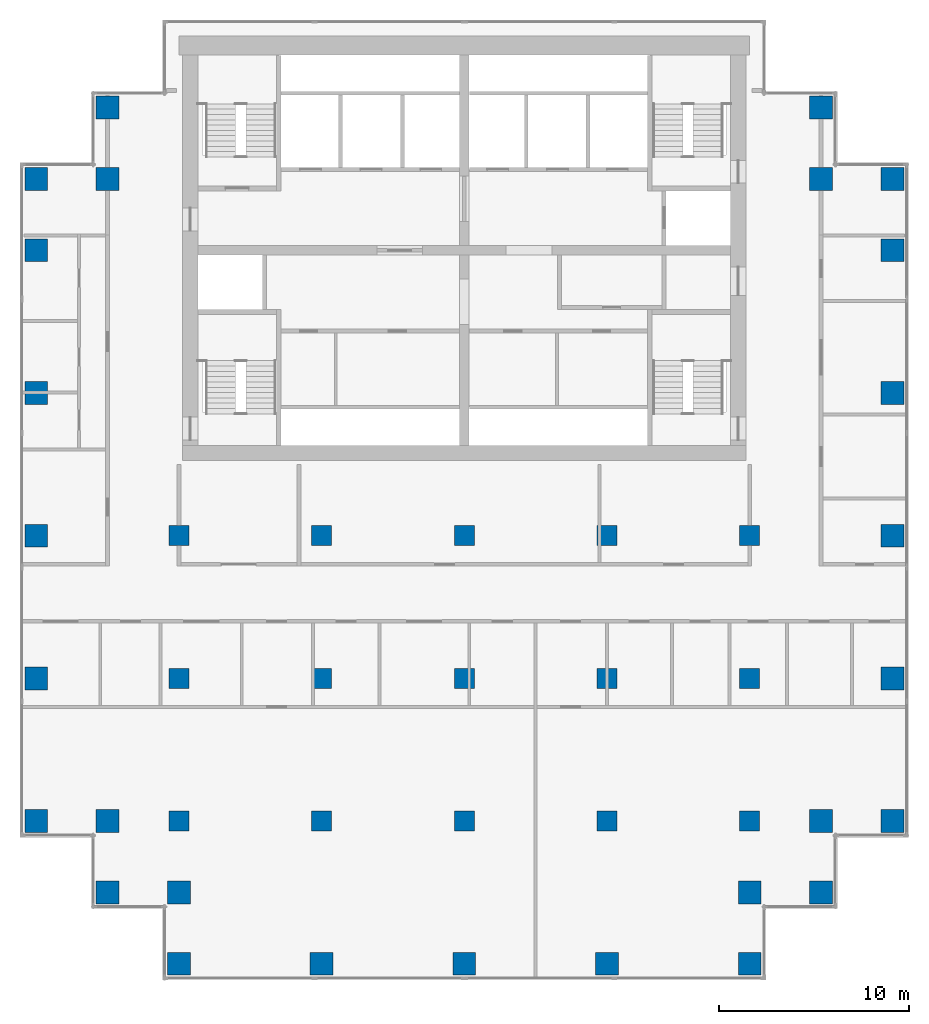
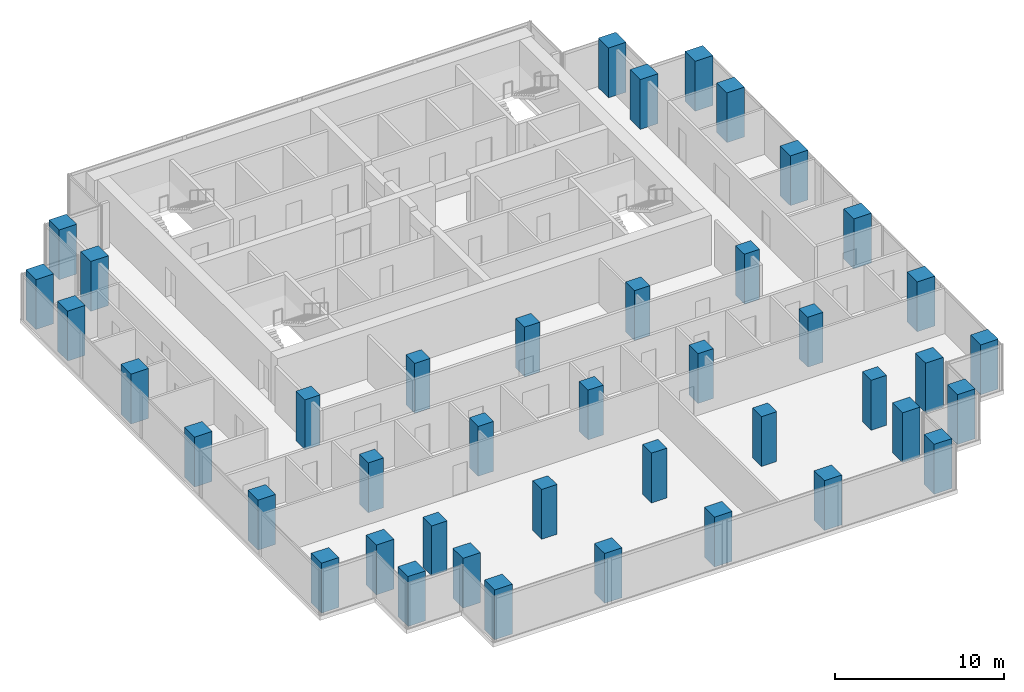
# One storey, part 1 of 10: 42 columns.
"""IFC4 building model written with IfcOpenShell, lengths in metres."""

import ifcopenshell
import ifcopenshell.guid

model = None  # the IFC model being written
_history = None  # IfcOwnerHistory: only IFC2X3 demands one
_inside = {}  # id of a spatial element -> (the spatial element, [elements in it])
_under = {}  # id of a project, library or spatial element -> (it, [spatial elements below it])
_declared = {}  # id of a project -> (the project, [libraries it declares])
_typed = {}  # id of a type object -> (the type object, [elements of that type])
_made_of = {}  # id of a material, layer set ... -> (it, [elements and type objects made of it])


def new_model(schema):
    """Start an empty IFC model of exactly this schema.

    Asked for "IFC4X3", IfcOpenShell would pick the latest addendum, in which some entities
    have other attributes; the version numbers below select the first issue.
    IFC2X3 requires an IfcOwnerHistory on every rooted entity: one is made here for all.
    """
    global model, _history
    if schema == "IFC4X3":
        model = ifcopenshell.file(schema_version=(4, 3, 0, 0))
    else:
        model = ifcopenshell.file(schema=schema)
    _inside.clear()
    _under.clear()
    _declared.clear()
    _typed.clear()
    _made_of.clear()
    _history = None
    if model.schema == "IFC2X3":
        org = make("IfcOrganization", Name="unknown")
        user = make(
            "IfcPersonAndOrganization",
            ThePerson=make("IfcPerson", FamilyName="unknown"),
            TheOrganization=org,
        )
        app = make(
            "IfcApplication",
            ApplicationDeveloper=org,
            Version="unknown",
            ApplicationFullName="unknown",
            ApplicationIdentifier="unknown",
        )
        _history = make(
            "IfcOwnerHistory",
            OwningUser=user,
            OwningApplication=app,
            ChangeAction="ADDED",
            CreationDate=0,
        )
    return model


def make(cls, **values):
    """One entity of the class cls with the attributes given. An attribute that is None is left unset."""
    return model.create_entity(
        cls, **{name: value for name, value in values.items() if value is not None}
    )


def rooted(cls, **values):
    """An entity with a GlobalId (a new one), such as an element, a storey or a relation."""
    return make(cls, GlobalId=ifcopenshell.guid.new(), OwnerHistory=_history, **values)


def si_unit(unit_type, name, prefix=None):
    """IfcSIUnit, for example si_unit("LENGTHUNIT", "METRE", prefix="MILLI")."""
    return make("IfcSIUnit", UnitType=unit_type, Prefix=prefix, Name=name)


def assignment(units):
    """IfcUnitAssignment: the units of a project."""
    return None if units is None else make("IfcUnitAssignment", Units=units)


def point(xyz):
    """IfcCartesianPoint."""
    return None if xyz is None else make("IfcCartesianPoint", Coordinates=xyz)


def direction(xyz):
    """IfcDirection."""
    return None if xyz is None else make("IfcDirection", DirectionRatios=xyz)


def frame(location, z_axis=None, x_axis=None):
    """IfcAxis2Placement3D, a coordinate frame: its origin and axes. An axis left out is left unset."""
    return make(
        "IfcAxis2Placement3D",
        Location=point(location),
        Axis=direction(z_axis),
        RefDirection=direction(x_axis),
    )


def frame_2d(location, x_axis=None):
    """IfcAxis2Placement2D, a coordinate frame in the plane: its origin and x axis."""
    return make(
        "IfcAxis2Placement2D", Location=point(location), RefDirection=direction(x_axis)
    )


def origin():
    """The frame at (0, 0, 0) with its axes left unset."""
    return frame((0.0, 0.0, 0.0))


def origin_2d():
    """The frame at (0, 0) in the plane with its x axis left unset."""
    return frame_2d((0.0, 0.0))


def place(relative_to, where):
    """IfcLocalPlacement: puts the frame where relative to a parent placement (None: the world)."""
    return make(
        "IfcLocalPlacement", PlacementRelTo=relative_to, RelativePlacement=where
    )


def context(
    kind, dimensions, precision=None, world=None, true_north=None, identifier=None
):
    """IfcGeometricRepresentationContext, for example the 3D "Model" context."""
    return make(
        "IfcGeometricRepresentationContext",
        ContextIdentifier=identifier,
        ContextType=kind,
        CoordinateSpaceDimension=dimensions,
        Precision=precision,
        WorldCoordinateSystem=world,
        TrueNorth=true_north,
    )


def subcontext(parent, identifier, kind, view, scale=None):
    """IfcGeometricRepresentationSubContext, for example "Body" below "Model"."""
    return make(
        "IfcGeometricRepresentationSubContext",
        ContextIdentifier=identifier,
        ContextType=kind,
        ParentContext=parent,
        TargetScale=scale,
        TargetView=view,
    )


def project(units=None, contexts=None):
    """IfcProject with its units and contexts."""
    return rooted(
        "IfcProject",
        Name="project",
        RepresentationContexts=contexts,
        UnitsInContext=assignment(units),
    )


def spatial(cls, under=None, at=None, **own):
    """A site, building, storey or space (cls), placed at a placement, below another one or the project."""
    s = rooted(cls, ObjectPlacement=at, **own)
    if under is not None:
        _under.setdefault(under.id(), (under, []))[1].append(s)
    return s


def profile(cls, at=None, kind="AREA", **sizes):
    """A parametric profile (cls). Its sizes go by their IFC names, for example OverallWidth=200.0."""
    return make(cls, ProfileType=kind, Position=at, **sizes)


def rectangle(**sizes):
    """IfcRectangleProfileDef."""
    return profile("IfcRectangleProfileDef", **sizes)


def extrude(swept, where, along, depth):
    """IfcExtrudedAreaSolid: the profile swept, set in the frame where, extruded along a direction by depth."""
    return make(
        "IfcExtrudedAreaSolid",
        SweptArea=swept,
        Position=where,
        ExtrudedDirection=direction(along),
        Depth=depth,
    )


def shape(context_of_items, identifier, shape_type, items):
    """IfcShapeRepresentation: the items that make up one representation, for example the "Body"."""
    return make(
        "IfcShapeRepresentation",
        ContextOfItems=context_of_items,
        RepresentationIdentifier=identifier,
        RepresentationType=shape_type,
        Items=items,
    )


def material(Name=None, Category=None):
    """IfcMaterial."""
    return make("IfcMaterial", Name=Name, Category=Category)


def material_profile(
    of_material, cross_section, Name=None, Category=None, Priority=None
):
    """IfcMaterialProfile: a cross section and its material."""
    return make(
        "IfcMaterialProfile",
        Name=Name,
        Material=of_material,
        Profile=cross_section,
        Priority=Priority,
        Category=Category,
    )


def profile_set(profiles, Name=None, composite=None):
    """IfcMaterialProfileSet."""
    return make(
        "IfcMaterialProfileSet",
        Name=Name,
        MaterialProfiles=profiles,
        CompositeProfile=composite,
    )


def made_of(thing, what):
    """Note that an element or type object is made of a material, layer set ...; save() writes the relation."""
    if what is not None:
        _made_of.setdefault(what.id(), (what, []))[1].append(thing)
    return thing


def type_object(cls, material=None, **own):
    """A type object (cls), such as IfcWallType, which elements share."""
    return made_of(rooted(cls, **own), material)


def element(
    cls,
    number,
    at=None,
    inside=None,
    cuts=None,
    type_object=None,
    material=None,
    context=None,
    identifier="Body",
    shape_type=None,
    held_by="IfcProductDefinitionShape",
    body=None,
    shapes=None,
    **own,
):
    """One element of the class cls, such as IfcWall. Its Tag is "e" and its number.

    at: its placement. inside: the storey or other place that contains it. cuts: it is an
    opening in that element (IfcRelVoidsElement). A single representation is given by context,
    identifier, shape_type and body (its items); several are given by shapes. held_by: the class
    of the entity that holds the representations. save() writes the other relations.
    """
    e = rooted(cls, Tag="e%d" % number, ObjectPlacement=at, **own)
    if body is not None:
        shapes = [shape(context, identifier, shape_type, body)]
    if shapes is not None:
        e.Representation = make(held_by, Representations=shapes)
    if inside is not None:
        _inside.setdefault(inside.id(), (inside, []))[1].append(e)
    if cuts is not None:
        rooted(
            "IfcRelVoidsElement", RelatingBuildingElement=cuts, RelatedOpeningElement=e
        )
    if type_object is not None:
        _typed.setdefault(type_object.id(), (type_object, []))[1].append(e)
    return made_of(e, material)


def aggregate(whole, parts):
    """IfcRelAggregates: a whole, such as a stair, and the parts it consists of."""
    return rooted("IfcRelAggregates", RelatingObject=whole, RelatedObjects=parts)


def save(model, path):
    """Write the relations noted so far, then the file.

    IfcRelAggregates (storeys below a building ...), IfcRelContainedInSpatialStructure (elements
    in a storey), IfcRelDefinesByType, IfcRelAssociatesMaterial and IfcRelDeclares: one each for
    every whole, place, type object, material and project.
    """
    for whole, parts in _under.values():
        aggregate(whole, parts)
    for where, things in _inside.values():
        rooted(
            "IfcRelContainedInSpatialStructure",
            RelatedElements=things,
            RelatingStructure=where,
        )
    for kind, things in _typed.values():
        rooted("IfcRelDefinesByType", RelatedObjects=things, RelatingType=kind)
    for what, things in _made_of.values():
        rooted("IfcRelAssociatesMaterial", RelatedObjects=things, RelatingMaterial=what)
    for by, libraries in _declared.values():
        rooted("IfcRelDeclares", RelatingContext=by, RelatedDefinitions=libraries)
    model.write(path)


model = new_model("IFC4")

# Units and contexts
model_context = context("Model", 3, precision=1e-05, world=origin(), true_north=direction((0.0, 1.0)))
body_context = subcontext(model_context, "Body", "Model", "MODEL_VIEW")
ifc_project = project(units=[si_unit("LENGTHUNIT", "METRE"), si_unit("AREAUNIT", "SQUARE_METRE"), si_unit("VOLUMEUNIT", "CUBIC_METRE"), si_unit("PLANEANGLEUNIT", "RADIAN"), si_unit("MASSUNIT", "GRAM", prefix="KILO")], contexts=[model_context])

# Site, building, storey
site_placement = place(None, origin())
site = spatial("IfcSite", under=ifc_project, at=site_placement, CompositionType="ELEMENT")
building_placement = place(site_placement, origin())
building = spatial("IfcBuilding", under=site, at=building_placement, Name="Pilkhan Gate Tower", CompositionType="ELEMENT")
storey_placement = place(building_placement, frame((0.0, 0.0, 169.300048828125)))
storey = spatial("IfcBuildingStorey", under=building, at=storey_placement, Name="L43", CompositionType="ELEMENT", Elevation=169.300048828125)

# Columns
ifc_material = material(Name="Concrete C60/75", Category="concrete")
ifc_material_profile_1 = material_profile(ifc_material, rectangle(XDim=1.050048828125, YDim=1.050048828125, at=origin_2d()), Name="RC 1050x1050")
ifc_profile_set_1 = profile_set([ifc_material_profile_1], Name="Concrete C60/75")
column_type_1 = type_object("IfcColumnType", Name="Column C105 RC 1050x1050 C60/75", PredefinedType="COLUMN", material=ifc_profile_set_1)
for number, where, z_axis, x_axis, name in (
    (1, (60.0, 52.5, 0.0), (0.0, 0.0, 1.0), (1.0, 0.0, 0.0), "Column 7/D L43"),
    (2, (60.0, 60.0, 0.0), (0.0, 0.0, 1.0), (1.0, 0.0, 0.0), "Column 7/F L43"),
    (3, (60.0, 67.5, 0.0), (0.0, 0.0, 1.0), (1.0, 0.0, 0.0), "Column 7/H L43"),
    (4, (67.5, 52.5, 0.0), (0.0, 0.0, 1.0), (1.0, 0.0, 0.0), "Column 9/D L43"),
    (5, (67.5, 60.0, 0.0), (0.0, 0.0, 1.0), (1.0, 0.0, 0.0), "Column 9/F L43"),
    (6, (67.5, 67.5, 0.0), (0.0, 0.0, 1.0), (1.0, 0.0, 0.0), "Column 9/H L43"),
    (7, (75.0, 52.5, 0.0), (0.0, 0.0, 1.0), (1.0, 0.0, 0.0), "Column 11/D L43"),
    (8, (75.0, 60.0, 0.0), (0.0, 0.0, 1.0), (1.0, 0.0, 0.0), "Column 11/F L43"),
    (9, (75.0, 67.5, 0.0), (0.0, 0.0, 1.0), (1.0, 0.0, 0.0), "Column 11/H L43"),
    (10, (82.5, 52.5, 0.0), (0.0, 0.0, 1.0), (1.0, 0.0, 0.0), "Column 13/D L43"),
    (11, (82.5, 60.0, 0.0), (0.0, 0.0, 1.0), (1.0, 0.0, 0.0), "Column 13/F L43"),
    (12, (82.5, 67.5, 0.0), (0.0, 0.0, 1.0), (1.0, 0.0, 0.0), "Column 13/H L43"),
    (13, (90.0, 52.5, 0.0), (0.0, 0.0, 1.0), (1.0, 0.0, 0.0), "Column 15/D L43"),
    (14, (90.0, 60.0, 0.0), (0.0, 0.0, 1.0), (1.0, 0.0, 0.0), "Column 15/F L43"),
    (15, (90.0, 67.5, 0.0), (0.0, 0.0, 1.0), (1.0, 0.0, 0.0), "Column 15/H L43"),
):
    element("IfcColumn", number, at=place(storey_placement, frame(where, z_axis=z_axis, x_axis=x_axis)), inside=storey, type_object=column_type_1, Name=name, PredefinedType="COLUMN", context=body_context, shape_type="SweptSolid", body=[
        extrude(rectangle(XDim=1.050048828125, YDim=1.050048828125, at=origin_2d()), origin(), (0.0, 0.0, 1.0), 3.599853515625),
    ])
ifc_material_profile_2 = material_profile(ifc_material, rectangle(XDim=1.199951171875, YDim=1.199951171875, at=origin_2d()), Name="RC 1200x1200")
ifc_profile_set_2 = profile_set([ifc_material_profile_2], Name="Concrete C60/75")
column_type_2 = type_object("IfcColumnType", Name="Column C120 RC 1200x1200 C60/75", PredefinedType="COLUMN", material=ifc_profile_set_2)
for number, where, z_axis, x_axis, name in (
    (16, (52.5, 52.5, 0.0), (0.0, 0.0, 1.0), (1.0, 0.0, 0.0), "Column 5/D L43"),
    (17, (52.5, 60.0, 0.0), (0.0, 0.0, 1.0), (1.0, 0.0, 0.0), "Column 5/F L43"),
    (18, (52.5, 67.5, 0.0), (0.0, 0.0, 1.0), (1.0, 0.0, 0.0), "Column 5/H L43"),
    (19, (52.5, 75.0, 0.0), (0.0, 0.0, 1.0), (1.0, 0.0, 0.0), "Column 5/K L43"),
    (20, (52.5, 82.5, 0.0), (0.0, 0.0, 1.0), (1.0, 0.0, 0.0), "Column 5/M L43"),
    (21, (52.5, 86.25, 0.0), (0.0, 0.0, 1.0), (1.0, 0.0, 0.0), "Column 5/N L43"),
    (22, (56.25, 48.75, 0.0), (0.0, 0.0, 1.0), (1.0, 0.0, 0.0), "Column 6/C L43"),
    (23, (56.25, 52.5, 0.0), (0.0, 0.0, 1.0), (1.0, 0.0, 0.0), "Column 6/D L43"),
    (24, (56.25, 86.25, 0.0), (0.0, 0.0, 1.0), (1.0, 0.0, 0.0), "Column 6/N L43"),
    (25, (56.25, 90.0, 0.0), (0.0, 0.0, 1.0), (1.0, 0.0, 0.0), "Column 6/P L43"),
    (26, (60.0, 45.0, 0.0), (0.0, 0.0, 1.0), (1.0, 0.0, 0.0), "Column 7/B L43"),
    (27, (60.0, 48.75, 0.0), (0.0, 0.0, 1.0), (1.0, 0.0, 0.0), "Column 7/C L43"),
    (28, (67.5, 45.0, 0.0), (0.0, 0.0, 1.0), (1.0, 0.0, 0.0), "Column 9/B L43"),
    (29, (75.0, 45.0, 0.0), (0.0, 0.0, 1.0), (1.0, 0.0, 0.0), "Column 11/B L43"),
    (30, (82.5, 45.0, 0.0), (0.0, 0.0, 1.0), (1.0, 0.0, 0.0), "Column 13/B L43"),
    (31, (90.0, 45.0, 0.0), (0.0, 0.0, 1.0), (1.0, 0.0, 0.0), "Column 15/B L43"),
    (32, (90.0, 48.75, 0.0), (0.0, 0.0, 1.0), (1.0, 0.0, 0.0), "Column 15/C L43"),
    (33, (93.75, 48.75, 0.0), (0.0, 0.0, 1.0), (1.0, 0.0, 0.0), "Column 16/C L43"),
    (34, (93.75, 52.5, 0.0), (0.0, 0.0, 1.0), (1.0, 0.0, 0.0), "Column 16/D L43"),
    (35, (93.75, 86.25, 0.0), (0.0, 0.0, 1.0), (1.0, 0.0, 0.0), "Column 16/N L43"),
    (36, (93.75, 90.0, 0.0), (0.0, 0.0, 1.0), (1.0, 0.0, 0.0), "Column 16/P L43"),
    (37, (97.5, 52.5, 0.0), (0.0, 0.0, 1.0), (1.0, 0.0, 0.0), "Column 17/D L43"),
    (38, (97.5, 60.0, 0.0), (0.0, 0.0, 1.0), (1.0, 0.0, 0.0), "Column 17/F L43"),
    (39, (97.5, 67.5, 0.0), (0.0, 0.0, 1.0), (1.0, 0.0, 0.0), "Column 17/H L43"),
    (40, (97.5, 75.0, 0.0), (0.0, 0.0, 1.0), (1.0, 0.0, 0.0), "Column 17/K L43"),
    (41, (97.5, 82.5, 0.0), (0.0, 0.0, 1.0), (1.0, 0.0, 0.0), "Column 17/M L43"),
    (42, (97.5, 86.25, 0.0), (0.0, 0.0, 1.0), (1.0, 0.0, 0.0), "Column 17/N L43"),
):
    element("IfcColumn", number, at=place(storey_placement, frame(where, z_axis=z_axis, x_axis=x_axis)), inside=storey, type_object=column_type_2, Name=name, PredefinedType="COLUMN", context=body_context, shape_type="SweptSolid", body=[
        extrude(rectangle(XDim=1.199951171875, YDim=1.199951171875, at=origin_2d()), origin(), (0.0, 0.0, 1.0), 3.599853515625),
    ])

save(model, "model.ifc")
